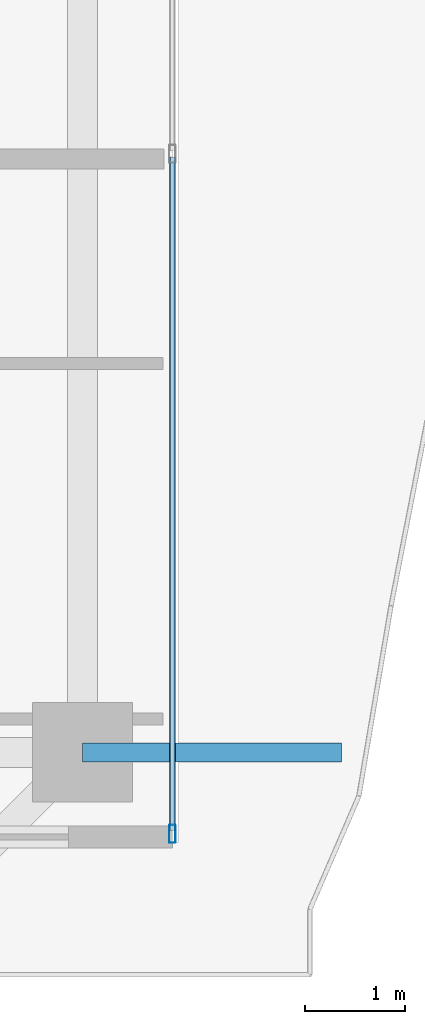
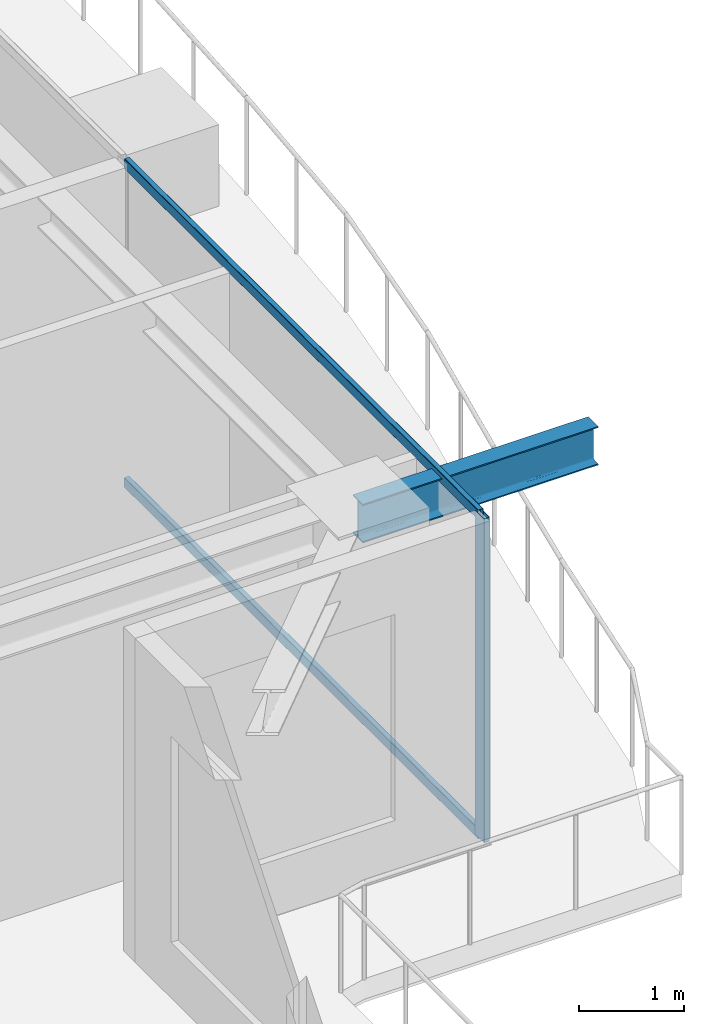
# One storey, part 14 of 42: 3 members, 1 beam, 1 element without a shape of its own.
"""IFC4 building model written with IfcOpenShell, lengths in metres."""

from ifc_helpers import new_model, si_unit, direction, frame, origin, origin_2d, place, context, subcontext, project, spatial, hollow_rectangle, i_section, extrude, source, transform, mapped, material, layer, layer_set, material_profile, profile_set, type_object, element, aggregate, save


model = new_model("IFC4")

# Units and contexts
model_context = context("Model", 3, precision=1e-05, world=origin(), true_north=direction((0.0, 1.0)))
body_context = subcontext(model_context, "Body", "Model", "MODEL_VIEW")
ifc_project = project(units=[si_unit("LENGTHUNIT", "METRE"), si_unit("AREAUNIT", "SQUARE_METRE"), si_unit("VOLUMEUNIT", "CUBIC_METRE"), si_unit("PLANEANGLEUNIT", "RADIAN"), si_unit("MASSUNIT", "GRAM", prefix="KILO")], contexts=[model_context])

# Site, building, storey
site_placement = place(None, origin())
site = spatial("IfcSite", under=ifc_project, at=site_placement, CompositionType="ELEMENT")
building_placement = place(site_placement, origin())
building = spatial("IfcBuilding", under=site, at=building_placement, Name="Serunith Strait Residences", CompositionType="ELEMENT")
storey_placement = place(building_placement, frame((0.0, 0.0, 293.449951171875)))
storey = spatial("IfcBuildingStorey", under=building, at=storey_placement, Name="L73", CompositionType="ELEMENT", Elevation=293.449951171875)

# Beam
ifc_material_1 = material(Name="Steel S355J2", Category="steel")
ifc_material_profile_1 = material_profile(ifc_material_1, i_section(OverallWidth=0.18994140625, OverallDepth=0.449951171875, WebThickness=0.009521484375, FlangeThickness=0.0146484375, FilletRadius=0.02099609375, at=origin_2d()), Name="IPE 450")
ifc_profile_set_1 = profile_set([ifc_material_profile_1], Name="Steel S355J2")
beam_type = type_object("IfcBeamType", Name="BM-IPE450", PredefinedType="JOIST", material=ifc_profile_set_1)
shared_shape_1 = source(origin(), body_context, "Body", "SweptSolid", [
    extrude(i_section(OverallWidth=0.18994140625, OverallDepth=0.449951171875, WebThickness=0.009521484375, FlangeThickness=0.0146484375, FilletRadius=0.02099609375, at=origin_2d()), origin(), (0.0, 0.0, 1.0), 2.595703125),
])
beam_placement = place(storey_placement, frame((54.699951171875, 10.85009765625, 3.531982421875), z_axis=(1.0, 0.0, 0.0), x_axis=(0.0, 1.0, 0.0)))
element("IfcBeam", 1, at=beam_placement, inside=storey, type_object=beam_type, Name="L74 Cantilevered Balcony Rib TC-E1", PredefinedType="JOIST", context=body_context, shape_type="MappedRepresentation", body=[
    mapped(shared_shape_1, transform((0.0, 0.0, 0.0), scale=1.0)),
])

# Curtain wall, members
ifc_material_2 = material(Name="Brushed Stainless-Silver Aluminium", Category="aluminium")
ifc_layer = layer(ifc_material_2, 0.199951171875, Name="Brushed Stainless-Silver Aluminium")
ifc_layer_set = layer_set([ifc_layer], Name="Brushed Stainless-Silver Aluminium")
curtain_wall_type = type_object("IfcCurtainWallType", Name="CW-SYS5", PredefinedType="NOTDEFINED", material=ifc_layer_set)
curtain_wall_placement = place(storey_placement, origin())
curtain_wall = element("IfcCurtainWall", 2, at=curtain_wall_placement, inside=storey, type_object=curtain_wall_type, Name="L73 E Unitised Fritted Curtain Wall", PredefinedType="NOTDEFINED")
ifc_material_profile_2 = material_profile(ifc_material_2, hollow_rectangle(XDim=0.06494140625, YDim=0.179931640625, WallThickness=0.00341796875, InnerFilletRadius=0.00537109375, OuterFilletRadius=0.0087890625, at=origin_2d()), Name="ALU 180x65x3.5")
ifc_profile_set_2 = profile_set([ifc_material_profile_2], Name="Brushed Stainless-Silver Aluminium")
member_type_1 = type_object("IfcMemberType", Name="CW-SYS5-MULL", PredefinedType="MULLION", material=ifc_profile_set_2)
shared_shape_2 = source(origin(), body_context, "Body", "SweptSolid", [
    extrude(hollow_rectangle(XDim=0.06494140625, YDim=0.179931640625, WallThickness=0.00341796875, InnerFilletRadius=0.00537109375, OuterFilletRadius=0.0087890625, at=origin_2d()), origin(), (0.0, 0.0, 1.0), 3.775146484375),
])
member_1_placement = place(storey_placement, frame((55.60009765625, 10.032470703125, 0.0), z_axis=(0.0, 0.0, 1.0), x_axis=(-1.0, 0.0, 0.0)))
member_1 = element("IfcMember", 3, at=member_1_placement, type_object=member_type_1, Name="CW-5 mullion 1", PredefinedType="MULLION", context=body_context, shape_type="MappedRepresentation", body=[
    mapped(shared_shape_2, transform((0.0, 0.0, 0.0), scale=1.0)),
])
ifc_material_profile_3 = material_profile(ifc_material_2, hollow_rectangle(XDim=0.06005859375, YDim=0.1201171875, WallThickness=0.00341796875, InnerFilletRadius=0.00537109375, OuterFilletRadius=0.0087890625, at=origin_2d()), Name="ALU 120x60x3.5")
ifc_profile_set_3 = profile_set([ifc_material_profile_3], Name="Brushed Stainless-Silver Aluminium")
member_type_2 = type_object("IfcMemberType", Name="CW-SYS5-TRAN", PredefinedType="USERDEFINED", material=ifc_profile_set_3)
shared_shape_3 = source(origin(), body_context, "Body", "SweptSolid", [
    extrude(hollow_rectangle(XDim=0.06005859375, YDim=0.1201171875, WallThickness=0.00341796875, InnerFilletRadius=0.00537109375, OuterFilletRadius=0.0087890625, at=origin_2d()), origin(), (0.0, 0.0, 1.0), 6.75244140625),
])
member_2_placement = place(storey_placement, frame((55.60009765625, 10.06494140625, 0.030029296875), z_axis=(0.0, 1.0, 0.0), x_axis=(-1.0, 0.0, 0.0)))
member_2 = element("IfcMember", 4, at=member_2_placement, type_object=member_type_2, Name="CW-5 transom 1.1", ObjectType="TRANSOM", PredefinedType="USERDEFINED", context=body_context, shape_type="MappedRepresentation", body=[
    mapped(shared_shape_3, transform((0.0, 0.0, 0.0), scale=1.0)),
])
member_3_placement = place(storey_placement, frame((55.60009765625, 10.06494140625, 3.7451171875), z_axis=(0.0, 1.0, 0.0), x_axis=(-1.0, 0.0, 0.0)))
member_3 = element("IfcMember", 5, at=member_3_placement, type_object=member_type_2, Name="CW-5 transom 1.2", ObjectType="TRANSOM", PredefinedType="USERDEFINED", context=body_context, shape_type="MappedRepresentation", body=[
    mapped(shared_shape_3, transform((0.0, 0.0, 0.0), scale=1.0)),
])
aggregate(curtain_wall, [member_1, member_2, member_3])

save(model, "model.ifc")
